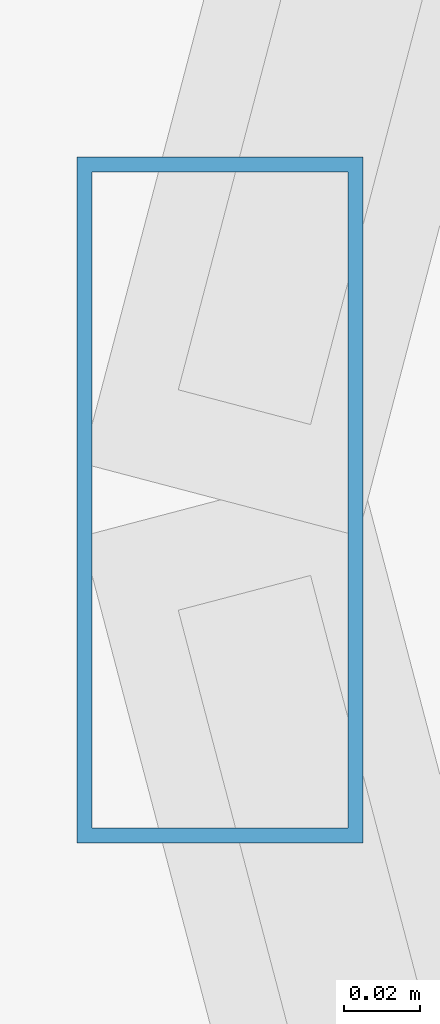
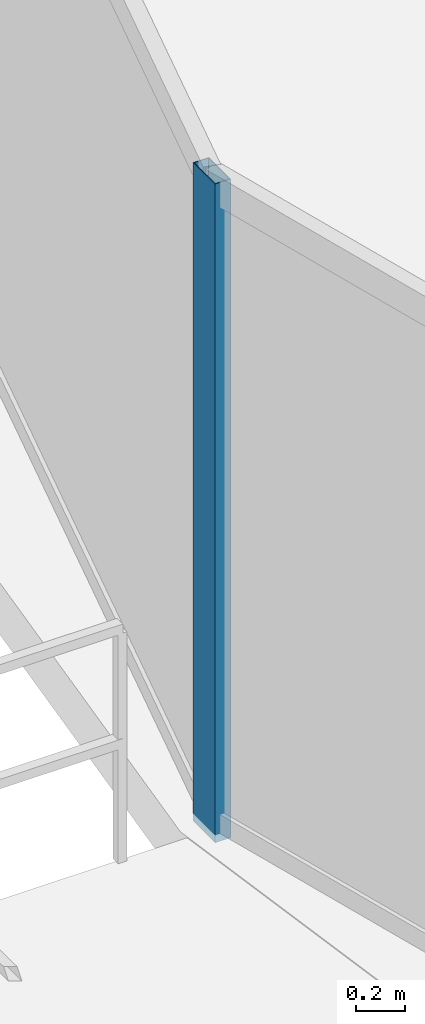
# One storey, part 7 of 30: 1 member, 1 element without a shape of its own.
"""IFC4 building model written with IfcOpenShell, lengths in metres."""

from ifc_helpers import new_model, si_unit, direction, frame, origin, origin_2d, place, context, subcontext, project, spatial, hollow_rectangle, extrude, material, material_profile, profile_set, type_object, element, aggregate, save


model = new_model("IFC4")

# Units and contexts
model_context = context("Model", 3, precision=1e-05, world=origin(), true_north=direction((0.0, 1.0)))
body_context = subcontext(model_context, "Body", "Model", "MODEL_VIEW")
ifc_project = project(units=[si_unit("LENGTHUNIT", "METRE"), si_unit("AREAUNIT", "SQUARE_METRE"), si_unit("VOLUMEUNIT", "CUBIC_METRE"), si_unit("PLANEANGLEUNIT", "RADIAN"), si_unit("MASSUNIT", "GRAM", prefix="KILO")], contexts=[model_context])

# Site, building, storey
site_placement = place(None, origin())
site = spatial("IfcSite", under=ifc_project, at=site_placement, CompositionType="ELEMENT")
building_placement = place(site_placement, origin())
building = spatial("IfcBuilding", under=site, at=building_placement, Name="Vorneva Point Tower", CompositionType="ELEMENT")
storey_placement = place(building_placement, frame((0.0, 0.0, 55.5)))
storey = spatial("IfcBuildingStorey", under=building, at=storey_placement, Name="L14", CompositionType="ELEMENT", Elevation=55.5)

# Curtain wall, member
ifc_material = material(Name="Pale anodised aluminium", Category="aluminium")
curtain_wall_type = type_object("IfcCurtainWallType", Name="CW-HTL-SYS", PredefinedType="NOTDEFINED", material=ifc_material)
curtain_wall_placement = place(storey_placement, origin())
curtain_wall = element("IfcCurtainWall", 1, at=curtain_wall_placement, inside=storey, type_object=curtain_wall_type, Name="L14 Unitised Curtain Wall CW-L14-R03", PredefinedType="NOTDEFINED")
ifc_material_profile = material_profile(ifc_material, hollow_rectangle(XDim=0.074951171875, YDim=0.179931640625, WallThickness=0.00390625, at=origin_2d()), Name="AL-MUL 180x75x4")
ifc_profile_set = profile_set([ifc_material_profile], Name="Pale anodised aluminium")
member_type = type_object("IfcMemberType", Name="CW-MUL-180", PredefinedType="MULLION", material=ifc_profile_set)
member_placement = place(storey_placement, frame((8.449951171875, 26.0, -0.0400390625), z_axis=(0.0, 0.0, 1.0), x_axis=(1.0, 0.0, 0.0)))
member = element("IfcMember", 2, at=member_placement, type_object=member_type, Name="CW-L14-R03 Mullion 03", PredefinedType="MULLION", context=body_context, shape_type="SweptSolid", body=[
    extrude(hollow_rectangle(XDim=0.074951171875, YDim=0.179931640625, WallThickness=0.00390625, at=origin_2d()), origin(), (0.0, 0.0, 1.0), 3.31005859375),
])
aggregate(curtain_wall, [member])

save(model, "model.ifc")
